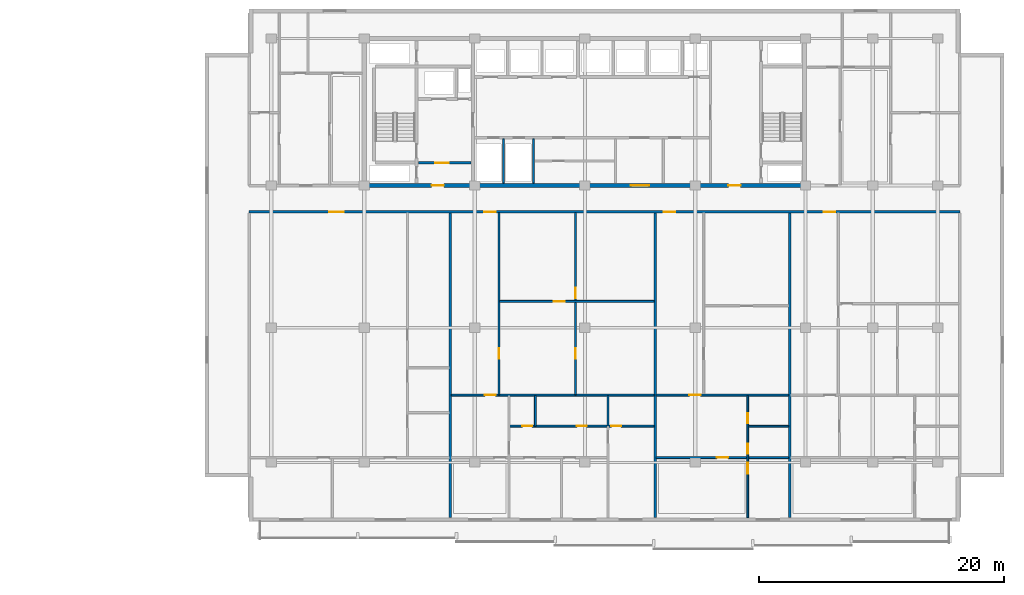
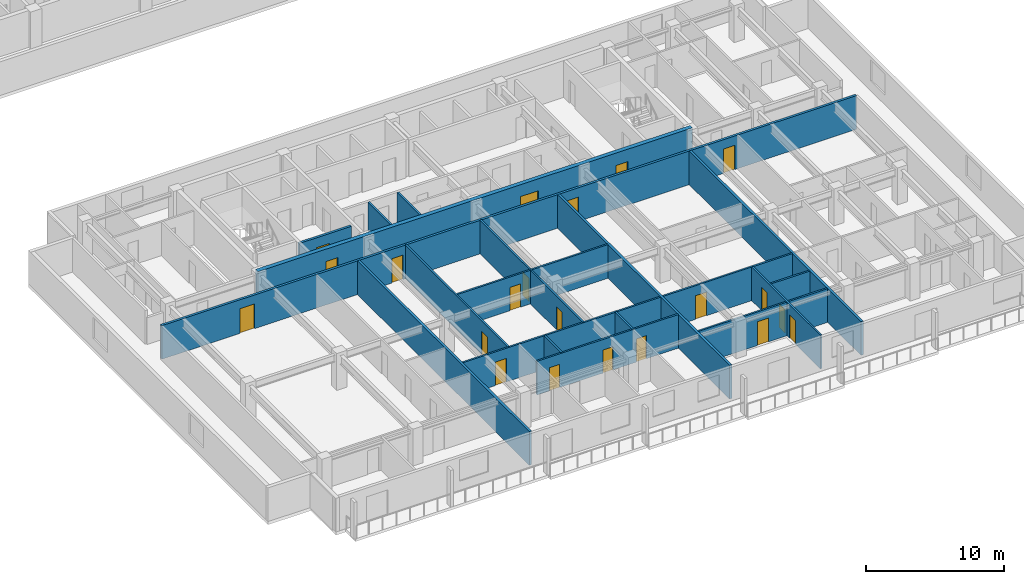
# One storey, part 5 of 22: 21 doors, 19 walls, 21 openings.
"""IFC4 building model written with IfcOpenShell, lengths in metres."""

from ifc_helpers import new_model, si_unit, direction, frame, frame_2d, origin, place, context, subcontext, project, spatial, rectangle, extrude, material, layer, layer_set, type_object, element, fill, save


model = new_model("IFC4")

# Units and contexts
model_context = context("Model", 3, precision=1e-05, world=origin(), true_north=direction((0.0, 1.0)))
body_context = subcontext(model_context, "Body", "Model", "MODEL_VIEW")
ifc_project = project(units=[si_unit("LENGTHUNIT", "METRE"), si_unit("AREAUNIT", "SQUARE_METRE"), si_unit("VOLUMEUNIT", "CUBIC_METRE"), si_unit("PLANEANGLEUNIT", "RADIAN"), si_unit("MASSUNIT", "GRAM", prefix="KILO")], contexts=[model_context])

# Site, building, storey
site_placement = place(None, origin())
site = spatial("IfcSite", under=ifc_project, at=site_placement, CompositionType="ELEMENT")
building_placement = place(site_placement, origin())
building = spatial("IfcBuilding", under=site, at=building_placement, Name="Korimba Cascade Residences", CompositionType="ELEMENT")
storey_placement = place(building_placement, frame((0.0, 0.0, 90.550048828125)))
storey = spatial("IfcBuildingStorey", under=building, at=storey_placement, Name="L25", CompositionType="ELEMENT", Elevation=90.550048828125)

# Wall, openings, doors
ifc_material_1 = material(Name="Concrete C65/80", Category="concrete")
ifc_layer_1 = layer(ifc_material_1, 0.35009765625)
ifc_layer_set_1 = layer_set([ifc_layer_1], Name="Concrete C65/80")
wall_type_1 = type_object("IfcWallType", Name="WAL-CORE-350", PredefinedType="SHEAR", material=ifc_layer_set_1)
wall_1_placement = place(storey_placement, frame((81.925048828125, 18.39990234375, 0.0), z_axis=(0.0, 0.0, 1.0), x_axis=(1.0, 0.0, 0.0)))
wall_1 = element("IfcWall", 1, at=wall_1_placement, inside=storey, type_object=wall_type_1, Name="L25 Core Shear Wall CW-L25-T2-S", PredefinedType="SHEAR", context=body_context, shape_type="SweptSolid", body=[
    extrude(rectangle(XDim=36.264892578125, YDim=0.35009765625, at=frame_2d((18.13232421875, 0.0))), origin(), (0.0, 0.0, 1.0), 3.25),
])
opening_1_placement = place(wall_1_placement, frame((5.675048828125, 0.0, 0.0)))
opening_1 = element("IfcOpeningElement", 2, at=opening_1_placement, cuts=wall_1, Name="Opening D-FD5", PredefinedType="OPENING", context=body_context, shape_type="SweptSolid", body=[
    extrude(rectangle(XDim=1.0, YDim=2.14990234375, at=frame_2d((0.5, 1.074951171875))), frame((0.0, 0.18505859375, 0.0), z_axis=(0.0, -1.0, 0.0), x_axis=(1.0, 0.0, 0.0)), (0.0, 0.0, 1.0), 0.3701171875),
])
opening_2_placement = place(wall_1_placement, frame((21.925048828125, 0.0, 0.0)))
opening_2 = element("IfcOpeningElement", 3, at=opening_2_placement, cuts=wall_1, Name="Opening D-FD8", PredefinedType="OPENING", context=body_context, shape_type="SweptSolid", body=[
    extrude(rectangle(XDim=1.5, YDim=2.199951171875, at=frame_2d((0.75, 1.10009765625))), frame((0.0, 0.18505859375, 0.0), z_axis=(0.0, -1.0, 0.0), x_axis=(1.0, 0.0, 0.0)), (0.0, 0.0, 1.0), 0.3701171875),
])
opening_3_placement = place(wall_1_placement, frame((29.875, 0.0, 0.0)))
opening_3 = element("IfcOpeningElement", 4, at=opening_3_placement, cuts=wall_1, Name="Opening D-FD5", PredefinedType="OPENING", context=body_context, shape_type="SweptSolid", body=[
    extrude(rectangle(XDim=1.0, YDim=2.14990234375, at=frame_2d((0.5, 1.074951171875))), frame((0.0, 0.18505859375, 0.0), z_axis=(0.0, -1.0, 0.0), x_axis=(1.0, 0.0, 0.0)), (0.0, 0.0, 1.0), 0.3701171875),
])
ifc_material_2 = material(Name="Fire-Rated Acoustic Timber Vestibule Door", Category="wood")
door_type_1 = type_object("IfcDoorType", Name="DR-FD90-1000", OperationType="NOTDEFINED", PredefinedType="DOOR", material=ifc_material_2)
door_1_placement = place(opening_1_placement, origin())
door_1 = element("IfcDoor", 5, at=door_1_placement, inside=storey, type_object=door_type_1, Name="L25 T2 West Core Vestibule Fire Door", OperationType="SINGLE_SWING_LEFT", OverallHeight=2.14990234375, OverallWidth=1.0, PredefinedType="DOOR", context=body_context, shape_type="SweptSolid", body=[
    extrude(rectangle(XDim=1.0, YDim=2.14990234375, at=frame_2d((0.5, 1.074951171875))), frame((0.0, 0.02490234375, 0.0), z_axis=(0.0, -1.0, 0.0), x_axis=(1.0, 0.0, 0.0)), (0.0, 0.0, 1.0), 0.050048828125),
])
fill(opening_1, door_1)
door_2_placement = place(opening_3_placement, origin())
door_2 = element("IfcDoor", 6, at=door_2_placement, inside=storey, type_object=door_type_1, Name="L25 T2 East Stair Vestibule Fire Door", OperationType="SINGLE_SWING_RIGHT", OverallHeight=2.14990234375, OverallWidth=1.0, PredefinedType="DOOR", context=body_context, shape_type="SweptSolid", body=[
    extrude(rectangle(XDim=1.0, YDim=2.14990234375, at=frame_2d((0.5, 1.074951171875))), frame((0.0, 0.02490234375, 0.0), z_axis=(0.0, -1.0, 0.0), x_axis=(1.0, 0.0, 0.0)), (0.0, 0.0, 1.0), 0.050048828125),
])
fill(opening_3, door_2)
ifc_material_3 = material(Name="Fire-Rated Glazed Lift Lobby Double Door", Category="glass")
door_type_2 = type_object("IfcDoorType", Name="DR-FD90-1500", OperationType="NOTDEFINED", PredefinedType="DOOR", material=ifc_material_3)
door_3_placement = place(opening_2_placement, origin())
door_3 = element("IfcDoor", 7, at=door_3_placement, inside=storey, type_object=door_type_2, Name="L25 T2 Lift Lobby Fire Door", OperationType="DOUBLE_DOOR_SINGLE_SWING", OverallHeight=2.199951171875, OverallWidth=1.5, PredefinedType="DOOR", context=body_context, shape_type="SweptSolid", body=[
    extrude(rectangle(XDim=1.5, YDim=2.199951171875, at=frame_2d((0.75, 1.10009765625))), frame((0.0, 0.02490234375, 0.0), z_axis=(0.0, -1.0, 0.0), x_axis=(1.0, 0.0, 0.0)), (0.0, 0.0, 1.0), 0.050048828125),
])
fill(opening_2, door_3)

# Walls
ifc_material_4 = material(Name="Precast concrete C40/50", Category="concrete")
ifc_layer_2 = layer(ifc_material_4, 0.199951171875)
ifc_layer_set_2 = layer_set([ifc_layer_2], Name="Precast concrete C40/50")
wall_type_2 = type_object("IfcWallType", Name="WAL-IT-200", PredefinedType="PARTITIONING", material=ifc_layer_set_2)
for number, where, z_axis, x_axis, name in (
    (8, (89.11865234375, -8.699951171875, 0.0), (0.0, 0.0, 1.0), (0.0, 1.0, 0.0), "L25 Partition Wall WAL-L25-T2-DEM-1"),
    (9, (105.831298828125, -8.699951171875, 0.0), (0.0, 0.0, 1.0), (0.0, 1.0, 0.0), "L25 Partition Wall WAL-L25-T2-DEM-2"),
    (10, (116.8125, -8.699951171875, 0.0), (0.0, 0.0, 1.0), (0.0, 1.0, 0.0), "L25 Partition Wall WAL-L25-T2-DEM-3"),
):
    element("IfcWall", number, at=place(storey_placement, frame(where, z_axis=z_axis, x_axis=x_axis)), inside=storey, type_object=wall_type_2, Name=name, PredefinedType="PARTITIONING", context=body_context, shape_type="SweptSolid", body=[
        extrude(rectangle(XDim=24.869873046875, YDim=0.199951171875, at=frame_2d((12.43505859375, 0.0))), origin(), (0.0, 0.0, 1.0), 2.969970703125),
    ])

# Wall, openings, doors
wall_2_placement = place(storey_placement, frame((72.699951171875, 16.25, 0.0), z_axis=(0.0, 0.0, 1.0), x_axis=(1.0, 0.0, 0.0)))
wall_2 = element("IfcWall", 11, at=wall_2_placement, inside=storey, type_object=wall_type_2, Name="L25 Partition Wall WAL-L25-T2-CORS", PredefinedType="PARTITIONING", context=body_context, shape_type="SweptSolid", body=[
    extrude(rectangle(XDim=58.0, YDim=0.199951171875, at=frame_2d((29.0, 0.0))), origin(), (0.0, 0.0, 1.0), 2.969970703125),
])
opening_4_placement = place(wall_2_placement, frame((6.519287109375, 0.0, 0.0)))
opening_4 = element("IfcOpeningElement", 12, at=opening_4_placement, cuts=wall_2, Name="Opening D-AM1", PredefinedType="OPENING", context=body_context, shape_type="SweptSolid", body=[
    extrude(rectangle(XDim=1.219970703125, YDim=2.179931640625, at=frame_2d((0.60986328125, 1.08984375))), frame((0.0, 0.10986328125, 0.0), z_axis=(0.0, -1.0, 0.0), x_axis=(1.0, 0.0, 0.0)), (0.0, 0.0, 1.0), 0.219970703125),
])
opening_5_placement = place(wall_2_placement, frame((19.188720703125, 0.0, 0.0)))
opening_5 = element("IfcOpeningElement", 13, at=opening_5_placement, cuts=wall_2, Name="Opening D-UN1", PredefinedType="OPENING", context=body_context, shape_type="SweptSolid", body=[
    extrude(rectangle(XDim=0.949951171875, YDim=2.14990234375, at=frame_2d((0.47509765625, 1.074951171875))), frame((0.0, 0.10986328125, 0.0), z_axis=(0.0, -1.0, 0.0), x_axis=(1.0, 0.0, 0.0)), (0.0, 0.0, 1.0), 0.219970703125),
])
opening_6_placement = place(wall_2_placement, frame((33.837158203125, 0.0, 0.0)))
opening_6 = element("IfcOpeningElement", 14, at=opening_6_placement, cuts=wall_2, Name="Opening D-UN1", PredefinedType="OPENING", context=body_context, shape_type="SweptSolid", body=[
    extrude(rectangle(XDim=0.949951171875, YDim=2.14990234375, at=frame_2d((0.47509765625, 1.074951171875))), frame((0.0, 0.10986328125, 0.0), z_axis=(0.0, -1.0, 0.0), x_axis=(1.0, 0.0, 0.0)), (0.0, 0.0, 1.0), 0.219970703125),
])
opening_7_placement = place(wall_2_placement, frame((46.88232421875, 0.0, 0.0)))
opening_7 = element("IfcOpeningElement", 15, at=opening_7_placement, cuts=wall_2, Name="Opening D-UN1", PredefinedType="OPENING", context=body_context, shape_type="SweptSolid", body=[
    extrude(rectangle(XDim=0.949951171875, YDim=2.14990234375, at=frame_2d((0.47509765625, 1.074951171875))), frame((0.0, 0.10986328125, 0.0), z_axis=(0.0, -1.0, 0.0), x_axis=(1.0, 0.0, 0.0)), (0.0, 0.0, 1.0), 0.219970703125),
])
ifc_material_5 = material(Name="Fire-Rated Glazed Timber Suite Door", Category="wood")
door_type_3 = type_object("IfcDoorType", Name="DR-FD60-1200", OperationType="NOTDEFINED", PredefinedType="DOOR", material=ifc_material_5)
door_4_placement = place(opening_4_placement, origin())
door_4 = element("IfcDoor", 16, at=door_4_placement, inside=storey, type_object=door_type_3, Name="L25-T2-U01 Business Collaboration Office Door", OperationType="SINGLE_SWING_LEFT", OverallHeight=2.179931640625, OverallWidth=1.219970703125, PredefinedType="DOOR", context=body_context, shape_type="SweptSolid", body=[
    extrude(rectangle(XDim=1.219970703125, YDim=2.179931640625, at=frame_2d((0.60986328125, 1.08984375))), frame((0.0, 0.02490234375, 0.0), z_axis=(0.0, -1.0, 0.0), x_axis=(1.0, 0.0, 0.0)), (0.0, 0.0, 1.0), 0.050048828125),
])
fill(opening_4, door_4)
ifc_material_6 = material(Name="Fire-Rated Hardwood Apartment Entrance Door", Category="wood")
door_type_4 = type_object("IfcDoorType", Name="DR-FD60-950", OperationType="NOTDEFINED", PredefinedType="DOOR", material=ifc_material_6)
door_5_placement = place(opening_5_placement, origin())
door_5 = element("IfcDoor", 17, at=door_5_placement, inside=storey, type_object=door_type_4, Name="Unit L25-T2-U02 Entrance Door", OperationType="SINGLE_SWING_RIGHT", OverallHeight=2.14990234375, OverallWidth=0.949951171875, PredefinedType="DOOR", context=body_context, shape_type="SweptSolid", body=[
    extrude(rectangle(XDim=0.949951171875, YDim=2.14990234375, at=frame_2d((0.47509765625, 1.074951171875))), frame((0.0, 0.02490234375, 0.0), z_axis=(0.0, -1.0, 0.0), x_axis=(1.0, 0.0, 0.0)), (0.0, 0.0, 1.0), 0.050048828125),
])
fill(opening_5, door_5)
door_6_placement = place(opening_6_placement, origin())
door_6 = element("IfcDoor", 18, at=door_6_placement, inside=storey, type_object=door_type_4, Name="Unit L25-T2-U03 Entrance Door", OperationType="SINGLE_SWING_LEFT", OverallHeight=2.14990234375, OverallWidth=0.949951171875, PredefinedType="DOOR", context=body_context, shape_type="SweptSolid", body=[
    extrude(rectangle(XDim=0.949951171875, YDim=2.14990234375, at=frame_2d((0.47509765625, 1.074951171875))), frame((0.0, 0.02490234375, 0.0), z_axis=(0.0, -1.0, 0.0), x_axis=(1.0, 0.0, 0.0)), (0.0, 0.0, 1.0), 0.050048828125),
])
fill(opening_6, door_6)
door_7_placement = place(opening_7_placement, origin())
door_7 = element("IfcDoor", 19, at=door_7_placement, inside=storey, type_object=door_type_4, Name="Unit L25-T2-U04 Entrance Door", OperationType="SINGLE_SWING_RIGHT", OverallHeight=2.14990234375, OverallWidth=0.949951171875, PredefinedType="DOOR", context=body_context, shape_type="SweptSolid", body=[
    extrude(rectangle(XDim=0.949951171875, YDim=2.14990234375, at=frame_2d((0.47509765625, 1.074951171875))), frame((0.0, 0.02490234375, 0.0), z_axis=(0.0, -1.0, 0.0), x_axis=(1.0, 0.0, 0.0)), (0.0, 0.0, 1.0), 0.050048828125),
])
fill(opening_7, door_7)

# Walls
ifc_material_7 = material(Name="Insulated Acoustic Stud Partition", Category="gypsum")
ifc_layer_3 = layer(ifc_material_7, 0.14990234375)
ifc_layer_set_3 = layer_set([ifc_layer_3], Name="Insulated Acoustic Stud Partition")
wall_type_3 = type_object("IfcWallType", Name="WAL-PART-150", PredefinedType="PARTITIONING", material=ifc_layer_set_3)
for number, where, z_axis, x_axis, name in (
    (20, (93.449951171875, 18.60009765625, 0.0), (0.0, 0.0, 1.0), (0.0, 1.0, 0.0), "L25 Partition Wall CW-L25-T2-ERDIV"),
    (21, (95.89990234375, 18.60009765625, 0.0), (0.0, 0.0, 1.0), (0.0, 1.0, 0.0), "L25 Partition Wall CW-L25-T2-PRDIV"),
):
    element("IfcWall", number, at=place(storey_placement, frame(where, z_axis=z_axis, x_axis=x_axis)), inside=storey, type_object=wall_type_3, Name=name, PredefinedType="PARTITIONING", context=body_context, shape_type="SweptSolid", body=[
        extrude(rectangle(XDim=3.599853515625, YDim=0.14990234375, at=frame_2d((1.7998046875, 0.0))), origin(), (0.0, 0.0, 1.0), 2.969970703125),
    ])

# Wall, openings, doors
wall_3_placement = place(storey_placement, frame((99.330078125, 1.340087890625, 0.0), z_axis=(0.0, 0.0, 1.0), x_axis=(0.0, 1.0, 0.0)))
wall_3 = element("IfcWall", 22, at=wall_3_placement, inside=storey, type_object=wall_type_3, Name="L25 Partition Wall WAL-L25-T2-U02-FMV", PredefinedType="PARTITIONING", context=body_context, shape_type="SweptSolid", body=[
    extrude(rectangle(XDim=14.849853515625, YDim=0.14990234375, at=frame_2d((7.4248046875, 0.0))), origin(), (0.0, 0.0, 1.0), 2.969970703125),
])
opening_8_placement = place(wall_3_placement, frame((2.939208984375, 0.0, 0.0)))
opening_8 = element("IfcOpeningElement", 23, at=opening_8_placement, cuts=wall_3, Name="Opening D-BT1", PredefinedType="OPENING", context=body_context, shape_type="SweptSolid", body=[
    extrude(rectangle(XDim=0.840087890625, YDim=2.0400390625, at=frame_2d((0.419921875, 1.02001953125))), frame((0.0, 0.0849609375, 0.0), z_axis=(0.0, -1.0, 0.0), x_axis=(1.0, 0.0, 0.0)), (0.0, 0.0, 1.0), 0.169921875),
])
opening_9_placement = place(wall_3_placement, frame((7.85498046875, 0.0, 0.0)))
opening_9 = element("IfcOpeningElement", 24, at=opening_9_placement, cuts=wall_3, Name="Opening D-IN2", PredefinedType="OPENING", context=body_context, shape_type="SweptSolid", body=[
    extrude(rectangle(XDim=0.8798828125, YDim=2.06005859375, at=frame_2d((0.43994140625, 1.030029296875))), frame((0.0, 0.0849609375, 0.0), z_axis=(0.0, -1.0, 0.0), x_axis=(1.0, 0.0, 0.0)), (0.0, 0.0, 1.0), 0.169921875),
])
ifc_material_8 = material(Name="Moisture-Resistant Bathroom Timber Door", Category="wood")
door_type_5 = type_object("IfcDoorType", Name="DR-INT-850", OperationType="NOTDEFINED", PredefinedType="DOOR", material=ifc_material_8)
door_8_placement = place(opening_8_placement, origin())
door_8 = element("IfcDoor", 25, at=door_8_placement, inside=storey, type_object=door_type_5, Name="L25-T2-U02 Wardrobe Door", OperationType="SINGLE_SWING_RIGHT", OverallHeight=2.0400390625, OverallWidth=0.840087890625, PredefinedType="DOOR", context=body_context, shape_type="SweptSolid", body=[
    extrude(rectangle(XDim=0.840087890625, YDim=2.0400390625, at=frame_2d((0.419921875, 1.02001953125))), frame((0.0, 0.02490234375, 0.0), z_axis=(0.0, -1.0, 0.0), x_axis=(1.0, 0.0, 0.0)), (0.0, 0.0, 1.0), 0.050048828125),
])
fill(opening_8, door_8)
ifc_material_9 = material(Name="Acoustic Timber Bedroom Door", Category="wood")
door_type_6 = type_object("IfcDoorType", Name="DR-INT-880", OperationType="NOTDEFINED", PredefinedType="DOOR", material=ifc_material_9)
door_9_placement = place(opening_9_placement, origin())
door_9 = element("IfcDoor", 26, at=door_9_placement, inside=storey, type_object=door_type_6, Name="L25-T2-U02 Music Lounge Door", OperationType="SINGLE_SWING_LEFT", OverallHeight=2.06005859375, OverallWidth=0.8798828125, PredefinedType="DOOR", context=body_context, shape_type="SweptSolid", body=[
    extrude(rectangle(XDim=0.8798828125, YDim=2.06005859375, at=frame_2d((0.43994140625, 1.030029296875))), frame((0.0, 0.02490234375, 0.0), z_axis=(0.0, -1.0, 0.0), x_axis=(1.0, 0.0, 0.0)), (0.0, 0.0, 1.0), 0.050048828125),
])
fill(opening_9, door_9)

# Wall, opening, door
wall_4_placement = place(storey_placement, frame((93.148681640625, 8.945068359375, 0.0), z_axis=(0.0, 0.0, 1.0), x_axis=(1.0, 0.0, 0.0)))
wall_4 = element("IfcWall", 27, at=wall_4_placement, inside=storey, type_object=wall_type_3, Name="L25 Partition Wall WAL-L25-T2-U02-FMH", PredefinedType="PARTITIONING", context=body_context, shape_type="SweptSolid", body=[
    extrude(rectangle(XDim=12.6025390625, YDim=0.14990234375, at=frame_2d((6.30126953125, 0.0))), origin(), (0.0, 0.0, 1.0), 2.969970703125),
])
opening_10_placement = place(wall_4_placement, frame((4.4189453125, 0.0, 0.0)))
opening_10 = element("IfcOpeningElement", 28, at=opening_10_placement, cuts=wall_4, Name="Opening D-IN2", PredefinedType="OPENING", context=body_context, shape_type="SweptSolid", body=[
    extrude(rectangle(XDim=0.8798828125, YDim=2.06005859375, at=frame_2d((0.43994140625, 1.030029296875))), frame((0.0, 0.0849609375, 0.0), z_axis=(0.0, -1.0, 0.0), x_axis=(1.0, 0.0, 0.0)), (0.0, 0.0, 1.0), 0.169921875),
])
door_10_placement = place(opening_10_placement, origin())
door_10 = element("IfcDoor", 29, at=door_10_placement, inside=storey, type_object=door_type_6, Name="L25-T2-U02 Library Salon Door", OperationType="SINGLE_SWING_RIGHT", OverallHeight=2.06005859375, OverallWidth=0.8798828125, PredefinedType="DOOR", context=body_context, shape_type="SweptSolid", body=[
    extrude(rectangle(XDim=0.8798828125, YDim=2.06005859375, at=frame_2d((0.43994140625, 1.030029296875))), frame((0.0, 0.02490234375, 0.0), z_axis=(0.0, -1.0, 0.0), x_axis=(1.0, 0.0, 0.0)), (0.0, 0.0, 1.0), 0.050048828125),
])
fill(opening_10, door_10)

wall_5_placement = place(storey_placement, frame((93.088623046875, 1.340087890625, 0.0), z_axis=(0.0, 0.0, 1.0), x_axis=(0.0, 1.0, 0.0)))
wall_5 = element("IfcWall", 30, at=wall_5_placement, inside=storey, type_object=wall_type_3, Name="L25 Partition Wall WAL-L25-T2-U02-FV", PredefinedType="PARTITIONING", context=body_context, shape_type="SweptSolid", body=[
    extrude(rectangle(XDim=14.849853515625, YDim=0.14990234375, at=frame_2d((7.4248046875, 0.0))), origin(), (0.0, 0.0, 1.0), 2.969970703125),
])
opening_11_placement = place(wall_5_placement, frame((2.922607421875, 0.0, 0.0)))
opening_11 = element("IfcOpeningElement", 31, at=opening_11_placement, cuts=wall_5, Name="Opening D-IN2", PredefinedType="OPENING", context=body_context, shape_type="SweptSolid", body=[
    extrude(rectangle(XDim=0.8798828125, YDim=2.06005859375, at=frame_2d((0.43994140625, 1.030029296875))), frame((0.0, 0.0849609375, 0.0), z_axis=(0.0, -1.0, 0.0), x_axis=(1.0, 0.0, 0.0)), (0.0, 0.0, 1.0), 0.169921875),
])
door_11_placement = place(opening_11_placement, origin())
door_11 = element("IfcDoor", 32, at=door_11_placement, inside=storey, type_object=door_type_6, Name="L25-T2-U02 Media Lounge Door", OperationType="SINGLE_SWING_LEFT", OverallHeight=2.06005859375, OverallWidth=0.8798828125, PredefinedType="DOOR", context=body_context, shape_type="SweptSolid", body=[
    extrude(rectangle(XDim=0.8798828125, YDim=2.06005859375, at=frame_2d((0.43994140625, 1.030029296875))), frame((0.0, 0.02490234375, 0.0), z_axis=(0.0, -1.0, 0.0), x_axis=(1.0, 0.0, 0.0)), (0.0, 0.0, 1.0), 0.050048828125),
])
fill(opening_11, door_11)

# Walls
for number, where, z_axis, x_axis, name in (
    (33, (96.05859375, -1.2099609375, 0.0), (0.0, 0.0, 1.0), (0.0, 1.0, 0.0), "L25 Partition Wall WAL-L25-T2-U02-VDRS"),
    (34, (101.97998046875, -1.2099609375, 0.0), (0.0, 0.0, 1.0), (0.0, 1.0, 0.0), "L25 Partition Wall WAL-L25-T2-U02-VBATH"),
):
    element("IfcWall", number, at=place(storey_placement, frame(where, z_axis=z_axis, x_axis=x_axis)), inside=storey, type_object=wall_type_3, Name=name, PredefinedType="PARTITIONING", context=body_context, shape_type="SweptSolid", body=[
        extrude(rectangle(XDim=2.469970703125, YDim=0.14990234375, at=frame_2d((1.23486328125, 0.0))), origin(), (0.0, 0.0, 1.0), 2.969970703125),
    ])

# Wall, openings, doors
wall_6_placement = place(storey_placement, frame((93.94873046875, -1.22998046875, 0.0), z_axis=(0.0, 0.0, 1.0), x_axis=(1.0, 0.0, 0.0)))
wall_6 = element("IfcWall", 35, at=wall_6_placement, inside=storey, type_object=wall_type_3, Name="L25 Partition Wall WAL-L25-T2-U02-HWALL", PredefinedType="PARTITIONING", context=body_context, shape_type="SweptSolid", body=[
    extrude(rectangle(XDim=11.802490234375, YDim=0.14990234375, at=frame_2d((5.9013671875, 0.0))), origin(), (0.0, 0.0, 1.0), 2.969970703125),
])
opening_12_placement = place(wall_6_placement, frame((1.033935546875, 0.0, 0.0)))
opening_12 = element("IfcOpeningElement", 36, at=opening_12_placement, cuts=wall_6, Name="Opening D-BT1", PredefinedType="OPENING", context=body_context, shape_type="SweptSolid", body=[
    extrude(rectangle(XDim=0.840087890625, YDim=2.0400390625, at=frame_2d((0.419921875, 1.02001953125))), frame((0.0, 0.0849609375, 0.0), z_axis=(0.0, -1.0, 0.0), x_axis=(1.0, 0.0, 0.0)), (0.0, 0.0, 1.0), 0.169921875),
])
opening_13_placement = place(wall_6_placement, frame((5.481201171875, 0.0, 0.0)))
opening_13 = element("IfcOpeningElement", 37, at=opening_13_placement, cuts=wall_6, Name="Opening D-BT1", PredefinedType="OPENING", context=body_context, shape_type="SweptSolid", body=[
    extrude(rectangle(XDim=0.840087890625, YDim=2.0400390625, at=frame_2d((0.419921875, 1.02001953125))), frame((0.0, 0.0849609375, 0.0), z_axis=(0.0, -1.0, 0.0), x_axis=(1.0, 0.0, 0.0)), (0.0, 0.0, 1.0), 0.169921875),
])
opening_14_placement = place(wall_6_placement, frame((8.28125, 0.0, 0.0)))
opening_14 = element("IfcOpeningElement", 38, at=opening_14_placement, cuts=wall_6, Name="Opening D-BT1", PredefinedType="OPENING", context=body_context, shape_type="SweptSolid", body=[
    extrude(rectangle(XDim=0.840087890625, YDim=2.0400390625, at=frame_2d((0.419921875, 1.02001953125))), frame((0.0, 0.0849609375, 0.0), z_axis=(0.0, -1.0, 0.0), x_axis=(1.0, 0.0, 0.0)), (0.0, 0.0, 1.0), 0.169921875),
])
door_12_placement = place(opening_12_placement, origin())
door_12 = element("IfcDoor", 39, at=door_12_placement, inside=storey, type_object=door_type_5, Name="L25-T2-U02 Family Bathroom Door", OperationType="SINGLE_SWING_RIGHT", OverallHeight=2.0400390625, OverallWidth=0.840087890625, PredefinedType="DOOR", context=body_context, shape_type="SweptSolid", body=[
    extrude(rectangle(XDim=0.840087890625, YDim=2.0400390625, at=frame_2d((0.419921875, 1.02001953125))), frame((0.0, 0.02490234375, 0.0), z_axis=(0.0, -1.0, 0.0), x_axis=(1.0, 0.0, 0.0)), (0.0, 0.0, 1.0), 0.050048828125),
])
fill(opening_12, door_12)
door_13_placement = place(opening_13_placement, origin())
door_13 = element("IfcDoor", 40, at=door_13_placement, inside=storey, type_object=door_type_5, Name="L25-T2-U02 Dressing Room Door", OperationType="SINGLE_SWING_LEFT", OverallHeight=2.0400390625, OverallWidth=0.840087890625, PredefinedType="DOOR", context=body_context, shape_type="SweptSolid", body=[
    extrude(rectangle(XDim=0.840087890625, YDim=2.0400390625, at=frame_2d((0.419921875, 1.02001953125))), frame((0.0, 0.02490234375, 0.0), z_axis=(0.0, -1.0, 0.0), x_axis=(1.0, 0.0, 0.0)), (0.0, 0.0, 1.0), 0.050048828125),
])
fill(opening_13, door_13)
door_14_placement = place(opening_14_placement, origin())
door_14 = element("IfcDoor", 41, at=door_14_placement, inside=storey, type_object=door_type_5, Name="L25-T2-U02 En-Suite Door", OperationType="SINGLE_SWING_RIGHT", OverallHeight=2.0400390625, OverallWidth=0.840087890625, PredefinedType="DOOR", context=body_context, shape_type="SweptSolid", body=[
    extrude(rectangle(XDim=0.840087890625, YDim=2.0400390625, at=frame_2d((0.419921875, 1.02001953125))), frame((0.0, 0.02490234375, 0.0), z_axis=(0.0, -1.0, 0.0), x_axis=(1.0, 0.0, 0.0)), (0.0, 0.0, 1.0), 0.050048828125),
])
fill(opening_14, door_14)

# Wall, opening, door
wall_7_placement = place(storey_placement, frame((89.19873046875, 1.300048828125, 0.0), z_axis=(0.0, 0.0, 1.0), x_axis=(1.0, 0.0, 0.0)))
wall_7 = element("IfcWall", 42, at=wall_7_placement, inside=storey, type_object=wall_type_3, Name="L25 Partition Wall WAL-L25-T2-U02-MW", PredefinedType="PARTITIONING", context=body_context, shape_type="SweptSolid", body=[
    extrude(rectangle(XDim=16.552490234375, YDim=0.14990234375, at=frame_2d((8.2763671875, 0.0))), origin(), (0.0, 0.0, 1.0), 2.969970703125),
])
opening_15_placement = place(wall_7_placement, frame((2.719970703125, 0.0, 0.0)))
opening_15 = element("IfcOpeningElement", 43, at=opening_15_placement, cuts=wall_7, Name="Opening D-IN1", PredefinedType="OPENING", context=body_context, shape_type="SweptSolid", body=[
    extrude(rectangle(XDim=0.919921875, YDim=2.080078125, at=frame_2d((0.4599609375, 1.0400390625))), frame((0.0, 0.0849609375, 0.0), z_axis=(0.0, -1.0, 0.0), x_axis=(1.0, 0.0, 0.0)), (0.0, 0.0, 1.0), 0.169921875),
])
ifc_material_10 = material(Name="Acoustic Timber Living Door", Category="wood")
door_type_7 = type_object("IfcDoorType", Name="DR-INT-920", OperationType="NOTDEFINED", PredefinedType="DOOR", material=ifc_material_10)
door_15_placement = place(opening_15_placement, origin())
door_15 = element("IfcDoor", 44, at=door_15_placement, inside=storey, type_object=door_type_7, Name="L25-T2-U02 Kitchen Door", OperationType="SINGLE_SWING_LEFT", OverallHeight=2.080078125, OverallWidth=0.919921875, PredefinedType="DOOR", context=body_context, shape_type="SweptSolid", body=[
    extrude(rectangle(XDim=0.919921875, YDim=2.080078125, at=frame_2d((0.4599609375, 1.0400390625))), frame((0.0, 0.02490234375, 0.0), z_axis=(0.0, -1.0, 0.0), x_axis=(1.0, 0.0, 0.0)), (0.0, 0.0, 1.0), 0.050048828125),
])
fill(opening_15, door_15)

# Wall
wall_8_placement = place(storey_placement, frame((113.452392578125, -1.239990234375, 0.0), z_axis=(0.0, 0.0, 1.0), x_axis=(1.0, 0.0, 0.0)))
element("IfcWall", 45, at=wall_8_placement, inside=storey, type_object=wall_type_3, Name="L25 Partition Wall WAL-L25-T2-U03-BLDIV", PredefinedType="PARTITIONING", context=body_context, shape_type="SweptSolid", body=[
    extrude(rectangle(XDim=3.280029296875, YDim=0.14990234375, at=frame_2d((1.64013671875, 0.0))), origin(), (0.0, 0.0, 1.0), 2.969970703125),
])

# Wall, openings, doors
wall_9_placement = place(storey_placement, frame((113.392333984375, -8.699951171875, 0.0), z_axis=(0.0, 0.0, 1.0), x_axis=(0.0, 1.0, 0.0)))
wall_9 = element("IfcWall", 46, at=wall_9_placement, inside=storey, type_object=wall_type_3, Name="L25 Partition Wall WAL-L25-T2-U03-V1", PredefinedType="PARTITIONING", context=body_context, shape_type="SweptSolid", body=[
    extrude(rectangle(XDim=9.9599609375, YDim=0.14990234375, at=frame_2d((4.97998046875, 0.0))), origin(), (0.0, 0.0, 1.0), 2.969970703125),
])
opening_16_placement = place(wall_9_placement, frame((5.199951171875, 0.0, 0.0)))
opening_16 = element("IfcOpeningElement", 47, at=opening_16_placement, cuts=wall_9, Name="Opening D-BT1", PredefinedType="OPENING", context=body_context, shape_type="SweptSolid", body=[
    extrude(rectangle(XDim=0.840087890625, YDim=2.0400390625, at=frame_2d((0.419921875, 1.02001953125))), frame((0.0, 0.0849609375, 0.0), z_axis=(0.0, -1.0, 0.0), x_axis=(1.0, 0.0, 0.0)), (0.0, 0.0, 1.0), 0.169921875),
])
opening_17_placement = place(wall_9_placement, frame((7.689697265625, 0.0, 0.0)))
opening_17 = element("IfcOpeningElement", 48, at=opening_17_placement, cuts=wall_9, Name="Opening D-BT1", PredefinedType="OPENING", context=body_context, shape_type="SweptSolid", body=[
    extrude(rectangle(XDim=0.840087890625, YDim=2.0400390625, at=frame_2d((0.419921875, 1.02001953125))), frame((0.0, 0.0849609375, 0.0), z_axis=(0.0, -1.0, 0.0), x_axis=(1.0, 0.0, 0.0)), (0.0, 0.0, 1.0), 0.169921875),
])
opening_18_placement = place(wall_9_placement, frame((3.60009765625, 0.0, 0.0)))
opening_18 = element("IfcOpeningElement", 49, at=opening_18_placement, cuts=wall_9, Name="Opening D-IN2", PredefinedType="OPENING", context=body_context, shape_type="SweptSolid", body=[
    extrude(rectangle(XDim=0.8798828125, YDim=2.06005859375, at=frame_2d((0.43994140625, 1.030029296875))), frame((0.0, 0.0849609375, 0.0), z_axis=(0.0, -1.0, 0.0), x_axis=(1.0, 0.0, 0.0)), (0.0, 0.0, 1.0), 0.169921875),
])
door_16_placement = place(opening_16_placement, origin())
door_16 = element("IfcDoor", 50, at=door_16_placement, inside=storey, type_object=door_type_5, Name="L25-T2-U03 Bathroom Door", OperationType="SINGLE_SWING_LEFT", OverallHeight=2.0400390625, OverallWidth=0.840087890625, PredefinedType="DOOR", context=body_context, shape_type="SweptSolid", body=[
    extrude(rectangle(XDim=0.840087890625, YDim=2.0400390625, at=frame_2d((0.419921875, 1.02001953125))), frame((0.0, 0.02490234375, 0.0), z_axis=(0.0, -1.0, 0.0), x_axis=(1.0, 0.0, 0.0)), (0.0, 0.0, 1.0), 0.050048828125),
])
fill(opening_16, door_16)
door_17_placement = place(opening_17_placement, origin())
door_17 = element("IfcDoor", 51, at=door_17_placement, inside=storey, type_object=door_type_5, Name="L25-T2-U03 Laundry Door", OperationType="SINGLE_SWING_RIGHT", OverallHeight=2.0400390625, OverallWidth=0.840087890625, PredefinedType="DOOR", context=body_context, shape_type="SweptSolid", body=[
    extrude(rectangle(XDim=0.840087890625, YDim=2.0400390625, at=frame_2d((0.419921875, 1.02001953125))), frame((0.0, 0.02490234375, 0.0), z_axis=(0.0, -1.0, 0.0), x_axis=(1.0, 0.0, 0.0)), (0.0, 0.0, 1.0), 0.050048828125),
])
fill(opening_17, door_17)
door_18_placement = place(opening_18_placement, origin())
door_18 = element("IfcDoor", 52, at=door_18_placement, inside=storey, type_object=door_type_6, Name="L25-T2-U03 Bedroom 1 Door", OperationType="SINGLE_SWING_LEFT", OverallHeight=2.06005859375, OverallWidth=0.8798828125, PredefinedType="DOOR", context=body_context, shape_type="SweptSolid", body=[
    extrude(rectangle(XDim=0.8798828125, YDim=2.06005859375, at=frame_2d((0.43994140625, 1.030029296875))), frame((0.0, 0.02490234375, 0.0), z_axis=(0.0, -1.0, 0.0), x_axis=(1.0, 0.0, 0.0)), (0.0, 0.0, 1.0), 0.050048828125),
])
fill(opening_18, door_18)

# Wall, opening, door
wall_10_placement = place(storey_placement, frame((105.9111328125, 1.300048828125, 0.0), z_axis=(0.0, 0.0, 1.0), x_axis=(1.0, 0.0, 0.0)))
wall_10 = element("IfcWall", 53, at=wall_10_placement, inside=storey, type_object=wall_type_3, Name="L25 Partition Wall WAL-L25-T2-U03-MW", PredefinedType="PARTITIONING", context=body_context, shape_type="SweptSolid", body=[
    extrude(rectangle(XDim=10.8212890625, YDim=0.14990234375, at=frame_2d((5.41064453125, 0.0))), origin(), (0.0, 0.0, 1.0), 2.969970703125),
])
opening_19_placement = place(wall_10_placement, frame((2.719970703125, 0.0, 0.0)))
opening_19 = element("IfcOpeningElement", 54, at=opening_19_placement, cuts=wall_10, Name="Opening D-IN1", PredefinedType="OPENING", context=body_context, shape_type="SweptSolid", body=[
    extrude(rectangle(XDim=0.919921875, YDim=2.080078125, at=frame_2d((0.4599609375, 1.0400390625))), frame((0.0, 0.0849609375, 0.0), z_axis=(0.0, -1.0, 0.0), x_axis=(1.0, 0.0, 0.0)), (0.0, 0.0, 1.0), 0.169921875),
])
door_19_placement = place(opening_19_placement, origin())
door_19 = element("IfcDoor", 55, at=door_19_placement, inside=storey, type_object=door_type_7, Name="L25-T2-U03 Kitchen Archway Door", OperationType="SINGLE_SWING_RIGHT", OverallHeight=2.080078125, OverallWidth=0.919921875, PredefinedType="DOOR", context=body_context, shape_type="SweptSolid", body=[
    extrude(rectangle(XDim=0.919921875, YDim=2.080078125, at=frame_2d((0.4599609375, 1.0400390625))), frame((0.0, 0.02490234375, 0.0), z_axis=(0.0, -1.0, 0.0), x_axis=(1.0, 0.0, 0.0)), (0.0, 0.0, 1.0), 0.050048828125),
])
fill(opening_19, door_19)

wall_11_placement = place(storey_placement, frame((105.9111328125, -3.800048828125, 0.0), z_axis=(0.0, 0.0, 1.0), x_axis=(1.0, 0.0, 0.0)))
wall_11 = element("IfcWall", 56, at=wall_11_placement, inside=storey, type_object=wall_type_3, Name="L25 Partition Wall WAL-L25-T2-U03-HZ", PredefinedType="PARTITIONING", context=body_context, shape_type="SweptSolid", body=[
    extrude(rectangle(XDim=10.8212890625, YDim=0.14990234375, at=frame_2d((5.41064453125, 0.0))), origin(), (0.0, 0.0, 1.0), 2.969970703125),
])
opening_20_placement = place(wall_11_placement, frame((4.940673828125, 0.0, 0.0)))
opening_20 = element("IfcOpeningElement", 57, at=opening_20_placement, cuts=wall_11, Name="Opening D-IN0", PredefinedType="OPENING", context=body_context, shape_type="SweptSolid", body=[
    extrude(rectangle(XDim=0.93994140625, YDim=2.10009765625, at=frame_2d((0.469970703125, 1.050048828125))), frame((0.0, 0.0849609375, 0.0), z_axis=(0.0, -1.0, 0.0), x_axis=(1.0, 0.0, 0.0)), (0.0, 0.0, 1.0), 0.169921875),
])
ifc_material_11 = material(Name="Acoustic Timber Living Archway Door", Category="wood")
door_type_8 = type_object("IfcDoorType", Name="DR-INT-950", OperationType="NOTDEFINED", PredefinedType="DOOR", material=ifc_material_11)
door_20_placement = place(opening_20_placement, origin())
door_20 = element("IfcDoor", 58, at=door_20_placement, inside=storey, type_object=door_type_8, Name="L25-T2-U03 Living Archway Door", OperationType="SINGLE_SWING_LEFT", OverallHeight=2.10009765625, OverallWidth=0.93994140625, PredefinedType="DOOR", context=body_context, shape_type="SweptSolid", body=[
    extrude(rectangle(XDim=0.93994140625, YDim=2.10009765625, at=frame_2d((0.469970703125, 1.050048828125))), frame((0.0, 0.02490234375, 0.0), z_axis=(0.0, -1.0, 0.0), x_axis=(1.0, 0.0, 0.0)), (0.0, 0.0, 1.0), 0.050048828125),
])
fill(opening_20, door_20)

ifc_material_12 = material(Name="Concrete C40/50", Category="concrete")
ifc_layer_4 = layer(ifc_material_12, 0.199951171875)
ifc_layer_set_4 = layer_set([ifc_layer_4], Name="Concrete C40/50")
wall_type_4 = type_object("IfcWallType", Name="WAL-PART-200", PredefinedType="PARTITIONING", material=ifc_layer_set_4)
wall_12_placement = place(storey_placement, frame((86.5, 20.25, 0.0), z_axis=(0.0, 0.0, 1.0), x_axis=(1.0, 0.0, 0.0)))
wall_12 = element("IfcWall", 59, at=wall_12_placement, inside=storey, type_object=wall_type_4, Name="L25 Partition Wall CW-L25-T2-FFLS", PredefinedType="PARTITIONING", context=body_context, shape_type="SweptSolid", body=[
    extrude(rectangle(XDim=4.320068359375, YDim=0.199951171875, at=frame_2d((2.16015625, 0.0))), origin(), (0.0, 0.0, 1.0), 2.969970703125),
])
opening_21_placement = place(wall_12_placement, frame((1.39990234375, 0.0, 0.0)))
opening_21 = element("IfcOpeningElement", 60, at=opening_21_placement, cuts=wall_12, Name="Opening D-FD1", PredefinedType="OPENING", context=body_context, shape_type="SweptSolid", body=[
    extrude(rectangle(XDim=1.10009765625, YDim=2.10009765625, at=frame_2d((0.550048828125, 1.050048828125))), frame((0.0, 0.10986328125, 0.0), z_axis=(0.0, -1.0, 0.0), x_axis=(1.0, 0.0, 0.0)), (0.0, 0.0, 1.0), 0.219970703125),
])
ifc_material_13 = material(Name="Fire-Rated Steel Core Door", Category="steel")
door_type_9 = type_object("IfcDoorType", Name="DR-FD120-1100", OperationType="NOTDEFINED", PredefinedType="DOOR", material=ifc_material_13)
door_21_placement = place(opening_21_placement, origin())
door_21 = element("IfcDoor", 61, at=door_21_placement, inside=storey, type_object=door_type_9, Name="L25 T2 Firefighting Lobby Door", OperationType="SINGLE_SWING_LEFT", OverallHeight=2.10009765625, OverallWidth=1.10009765625, PredefinedType="DOOR", context=body_context, shape_type="SweptSolid", body=[
    extrude(rectangle(XDim=1.10009765625, YDim=2.10009765625, at=frame_2d((0.550048828125, 1.050048828125))), frame((0.0, 0.02490234375, 0.0), z_axis=(0.0, -1.0, 0.0), x_axis=(1.0, 0.0, 0.0)), (0.0, 0.0, 1.0), 0.050048828125),
])
fill(opening_21, door_21)

save(model, "model.ifc")
